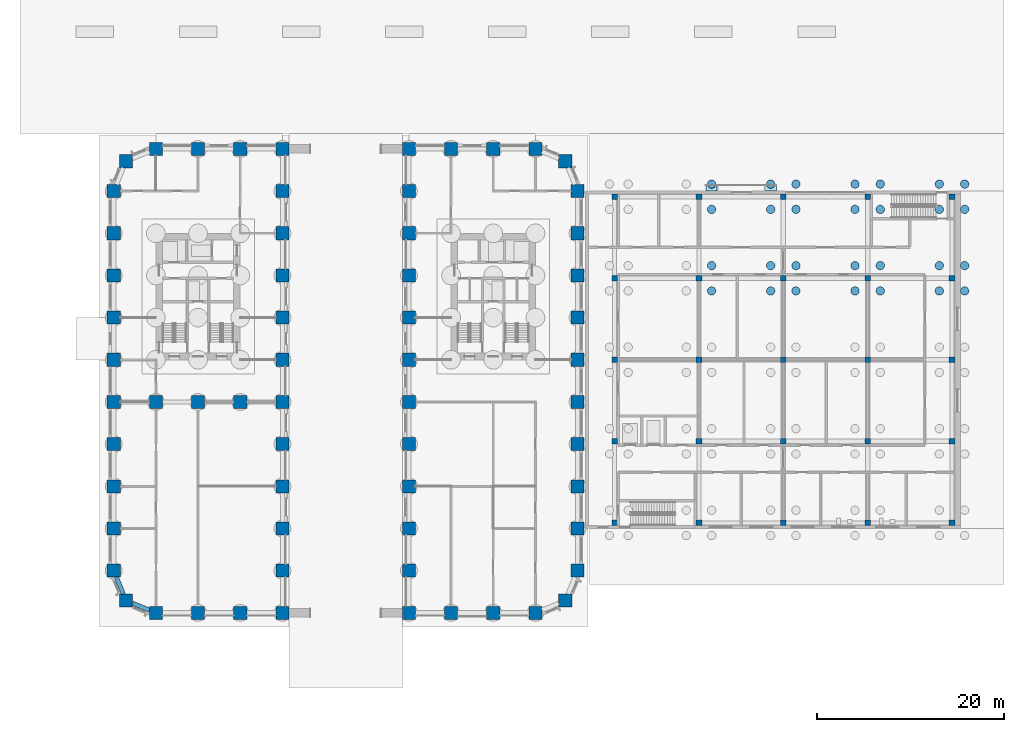
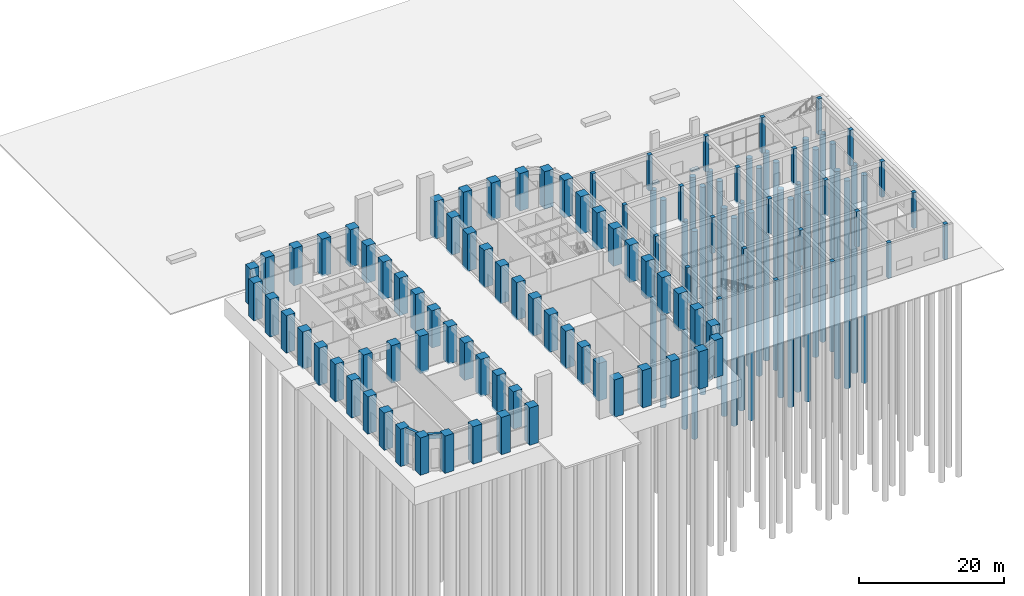
# One storey, part 2 of 31: 88 columns, 28 piles, 2 beams, 2 footings.
"""IFC4 building model written with IfcOpenShell, lengths in metres."""

import ifcopenshell
import ifcopenshell.guid

model = None  # the IFC model being written
_history = None  # IfcOwnerHistory: only IFC2X3 demands one
_inside = {}  # id of a spatial element -> (the spatial element, [elements in it])
_under = {}  # id of a project, library or spatial element -> (it, [spatial elements below it])
_declared = {}  # id of a project -> (the project, [libraries it declares])
_typed = {}  # id of a type object -> (the type object, [elements of that type])
_made_of = {}  # id of a material, layer set ... -> (it, [elements and type objects made of it])


def new_model(schema):
    """Start an empty IFC model of exactly this schema.

    Asked for "IFC4X3", IfcOpenShell would pick the latest addendum, in which some entities
    have other attributes; the version numbers below select the first issue.
    IFC2X3 requires an IfcOwnerHistory on every rooted entity: one is made here for all.
    """
    global model, _history
    if schema == "IFC4X3":
        model = ifcopenshell.file(schema_version=(4, 3, 0, 0))
    else:
        model = ifcopenshell.file(schema=schema)
    _inside.clear()
    _under.clear()
    _declared.clear()
    _typed.clear()
    _made_of.clear()
    _history = None
    if model.schema == "IFC2X3":
        org = make("IfcOrganization", Name="unknown")
        user = make(
            "IfcPersonAndOrganization",
            ThePerson=make("IfcPerson", FamilyName="unknown"),
            TheOrganization=org,
        )
        app = make(
            "IfcApplication",
            ApplicationDeveloper=org,
            Version="unknown",
            ApplicationFullName="unknown",
            ApplicationIdentifier="unknown",
        )
        _history = make(
            "IfcOwnerHistory",
            OwningUser=user,
            OwningApplication=app,
            ChangeAction="ADDED",
            CreationDate=0,
        )
    return model


def make(cls, **values):
    """One entity of the class cls with the attributes given. An attribute that is None is left unset."""
    return model.create_entity(
        cls, **{name: value for name, value in values.items() if value is not None}
    )


def rooted(cls, **values):
    """An entity with a GlobalId (a new one), such as an element, a storey or a relation."""
    return make(cls, GlobalId=ifcopenshell.guid.new(), OwnerHistory=_history, **values)


def si_unit(unit_type, name, prefix=None):
    """IfcSIUnit, for example si_unit("LENGTHUNIT", "METRE", prefix="MILLI")."""
    return make("IfcSIUnit", UnitType=unit_type, Prefix=prefix, Name=name)


def assignment(units):
    """IfcUnitAssignment: the units of a project."""
    return None if units is None else make("IfcUnitAssignment", Units=units)


def point(xyz):
    """IfcCartesianPoint."""
    return None if xyz is None else make("IfcCartesianPoint", Coordinates=xyz)


def direction(xyz):
    """IfcDirection."""
    return None if xyz is None else make("IfcDirection", DirectionRatios=xyz)


def frame(location, z_axis=None, x_axis=None):
    """IfcAxis2Placement3D, a coordinate frame: its origin and axes. An axis left out is left unset."""
    return make(
        "IfcAxis2Placement3D",
        Location=point(location),
        Axis=direction(z_axis),
        RefDirection=direction(x_axis),
    )


def frame_2d(location, x_axis=None):
    """IfcAxis2Placement2D, a coordinate frame in the plane: its origin and x axis."""
    return make(
        "IfcAxis2Placement2D", Location=point(location), RefDirection=direction(x_axis)
    )


def origin():
    """The frame at (0, 0, 0) with its axes left unset."""
    return frame((0.0, 0.0, 0.0))


def origin_2d():
    """The frame at (0, 0) in the plane with its x axis left unset."""
    return frame_2d((0.0, 0.0))


def place(relative_to, where):
    """IfcLocalPlacement: puts the frame where relative to a parent placement (None: the world)."""
    return make(
        "IfcLocalPlacement", PlacementRelTo=relative_to, RelativePlacement=where
    )


def context(
    kind, dimensions, precision=None, world=None, true_north=None, identifier=None
):
    """IfcGeometricRepresentationContext, for example the 3D "Model" context."""
    return make(
        "IfcGeometricRepresentationContext",
        ContextIdentifier=identifier,
        ContextType=kind,
        CoordinateSpaceDimension=dimensions,
        Precision=precision,
        WorldCoordinateSystem=world,
        TrueNorth=true_north,
    )


def subcontext(parent, identifier, kind, view, scale=None):
    """IfcGeometricRepresentationSubContext, for example "Body" below "Model"."""
    return make(
        "IfcGeometricRepresentationSubContext",
        ContextIdentifier=identifier,
        ContextType=kind,
        ParentContext=parent,
        TargetScale=scale,
        TargetView=view,
    )


def project(units=None, contexts=None):
    """IfcProject with its units and contexts."""
    return rooted(
        "IfcProject",
        Name="project",
        RepresentationContexts=contexts,
        UnitsInContext=assignment(units),
    )


def spatial(cls, under=None, at=None, **own):
    """A site, building, storey or space (cls), placed at a placement, below another one or the project."""
    s = rooted(cls, ObjectPlacement=at, **own)
    if under is not None:
        _under.setdefault(under.id(), (under, []))[1].append(s)
    return s


def polyline(points):
    """IfcPolyline through the points."""
    return make("IfcPolyline", Points=[point(p) for p in points])


def profile(cls, at=None, kind="AREA", **sizes):
    """A parametric profile (cls). Its sizes go by their IFC names, for example OverallWidth=200.0."""
    return make(cls, ProfileType=kind, Position=at, **sizes)


def rectangle(**sizes):
    """IfcRectangleProfileDef."""
    return profile("IfcRectangleProfileDef", **sizes)


def circle(**sizes):
    """IfcCircleProfileDef."""
    return profile("IfcCircleProfileDef", **sizes)


def outline(outer, holes=None, kind="AREA"):
    """IfcArbitraryClosedProfileDef: a profile drawn as a closed curve; with holes, ...WithVoids."""
    if holes is None:
        return make("IfcArbitraryClosedProfileDef", ProfileType=kind, OuterCurve=outer)
    return make(
        "IfcArbitraryProfileDefWithVoids",
        ProfileType=kind,
        OuterCurve=outer,
        InnerCurves=holes,
    )


def extrude(swept, where, along, depth):
    """IfcExtrudedAreaSolid: the profile swept, set in the frame where, extruded along a direction by depth."""
    return make(
        "IfcExtrudedAreaSolid",
        SweptArea=swept,
        Position=where,
        ExtrudedDirection=direction(along),
        Depth=depth,
    )


def shape(context_of_items, identifier, shape_type, items):
    """IfcShapeRepresentation: the items that make up one representation, for example the "Body"."""
    return make(
        "IfcShapeRepresentation",
        ContextOfItems=context_of_items,
        RepresentationIdentifier=identifier,
        RepresentationType=shape_type,
        Items=items,
    )


def material(Name=None, Category=None):
    """IfcMaterial."""
    return make("IfcMaterial", Name=Name, Category=Category)


def layer(
    of_material, thickness, ventilated=None, Name=None, Category=None, Priority=None
):
    """IfcMaterialLayer: one layer of a wall or slab, of a material (None: an air gap)."""
    return make(
        "IfcMaterialLayer",
        Material=of_material,
        LayerThickness=thickness,
        IsVentilated=ventilated,
        Name=Name,
        Category=Category,
        Priority=Priority,
    )


def layer_set(layers, Name=None):
    """IfcMaterialLayerSet."""
    return make("IfcMaterialLayerSet", MaterialLayers=layers, LayerSetName=Name)


def material_profile(
    of_material, cross_section, Name=None, Category=None, Priority=None
):
    """IfcMaterialProfile: a cross section and its material."""
    return make(
        "IfcMaterialProfile",
        Name=Name,
        Material=of_material,
        Profile=cross_section,
        Priority=Priority,
        Category=Category,
    )


def profile_set(profiles, Name=None, composite=None):
    """IfcMaterialProfileSet."""
    return make(
        "IfcMaterialProfileSet",
        Name=Name,
        MaterialProfiles=profiles,
        CompositeProfile=composite,
    )


def made_of(thing, what):
    """Note that an element or type object is made of a material, layer set ...; save() writes the relation."""
    if what is not None:
        _made_of.setdefault(what.id(), (what, []))[1].append(thing)
    return thing


def type_object(cls, material=None, **own):
    """A type object (cls), such as IfcWallType, which elements share."""
    return made_of(rooted(cls, **own), material)


def element(
    cls,
    number,
    at=None,
    inside=None,
    cuts=None,
    type_object=None,
    material=None,
    context=None,
    identifier="Body",
    shape_type=None,
    held_by="IfcProductDefinitionShape",
    body=None,
    shapes=None,
    **own,
):
    """One element of the class cls, such as IfcWall. Its Tag is "e" and its number.

    at: its placement. inside: the storey or other place that contains it. cuts: it is an
    opening in that element (IfcRelVoidsElement). A single representation is given by context,
    identifier, shape_type and body (its items); several are given by shapes. held_by: the class
    of the entity that holds the representations. save() writes the other relations.
    """
    e = rooted(cls, Tag="e%d" % number, ObjectPlacement=at, **own)
    if body is not None:
        shapes = [shape(context, identifier, shape_type, body)]
    if shapes is not None:
        e.Representation = make(held_by, Representations=shapes)
    if inside is not None:
        _inside.setdefault(inside.id(), (inside, []))[1].append(e)
    if cuts is not None:
        rooted(
            "IfcRelVoidsElement", RelatingBuildingElement=cuts, RelatedOpeningElement=e
        )
    if type_object is not None:
        _typed.setdefault(type_object.id(), (type_object, []))[1].append(e)
    return made_of(e, material)


def aggregate(whole, parts):
    """IfcRelAggregates: a whole, such as a stair, and the parts it consists of."""
    return rooted("IfcRelAggregates", RelatingObject=whole, RelatedObjects=parts)


def save(model, path):
    """Write the relations noted so far, then the file.

    IfcRelAggregates (storeys below a building ...), IfcRelContainedInSpatialStructure (elements
    in a storey), IfcRelDefinesByType, IfcRelAssociatesMaterial and IfcRelDeclares: one each for
    every whole, place, type object, material and project.
    """
    for whole, parts in _under.values():
        aggregate(whole, parts)
    for where, things in _inside.values():
        rooted(
            "IfcRelContainedInSpatialStructure",
            RelatedElements=things,
            RelatingStructure=where,
        )
    for kind, things in _typed.values():
        rooted("IfcRelDefinesByType", RelatedObjects=things, RelatingType=kind)
    for what, things in _made_of.values():
        rooted("IfcRelAssociatesMaterial", RelatedObjects=things, RelatingMaterial=what)
    for by, libraries in _declared.values():
        rooted("IfcRelDeclares", RelatingContext=by, RelatedDefinitions=libraries)
    model.write(path)


model = new_model("IFC4")

# Units and contexts
model_context = context("Model", 3, precision=1e-05, world=origin(), true_north=direction((0.0, 1.0)))
body_context = subcontext(model_context, "Body", "Model", "MODEL_VIEW")
ifc_project = project(units=[si_unit("LENGTHUNIT", "METRE"), si_unit("AREAUNIT", "SQUARE_METRE"), si_unit("VOLUMEUNIT", "CUBIC_METRE"), si_unit("PLANEANGLEUNIT", "RADIAN"), si_unit("MASSUNIT", "GRAM", prefix="KILO")], contexts=[model_context])

# Site, building, storey
site_placement = place(None, origin())
site = spatial("IfcSite", under=ifc_project, at=site_placement, CompositionType="ELEMENT")
building_placement = place(site_placement, origin())
building = spatial("IfcBuilding", under=site, at=building_placement, Name="Girih Gate Residences", CompositionType="ELEMENT")
storey_placement = place(building_placement, origin())
storey = spatial("IfcBuildingStorey", under=building, at=storey_placement, Name="L00", CompositionType="ELEMENT", Elevation=0.0)

# Piles
ifc_material_1 = material(Name="Concrete C40/50", Category="concrete")
ifc_material_profile_1 = material_profile(ifc_material_1, circle(Radius=0.449951171875, at=origin_2d()))
ifc_profile_set_1 = profile_set([ifc_material_profile_1], Name="Concrete C40/50")
pile_type = type_object("IfcPileType", Name="HC Bored pile D900 C40/50", PredefinedType="BORED", material=ifc_profile_set_1)
for number, where, z_axis, x_axis, name in (
    (1, (63.800048828125, 34.35009765625, -1.5), (0.0, 0.0, -1.0), (1.0, 0.0, 0.0), "Health centre pile H2/HD 35"),
    (2, (63.800048828125, 37.050048828125, -1.5), (0.0, 0.0, -1.0), (1.0, 0.0, 0.0), "Health centre pile H2/HD 36"),
    (3, (63.800048828125, 43.050048828125, -1.5), (0.0, 0.0, -1.0), (1.0, 0.0, 0.0), "Health centre pile H2/HE 39"),
    (4, (63.800048828125, 45.75, -1.5), (0.0, 0.0, -1.0), (1.0, 0.0, 0.0), "Health centre pile H2/HE 40"),
    (5, (70.10009765625, 34.35009765625, -1.5), (0.0, 0.0, -1.0), (1.0, 0.0, 0.0), "Health centre pile H3/HD 53"),
    (6, (70.10009765625, 37.050048828125, -1.5), (0.0, 0.0, -1.0), (1.0, 0.0, 0.0), "Health centre pile H3/HD 54"),
    (7, (72.800048828125, 34.35009765625, -1.5), (0.0, 0.0, -1.0), (1.0, 0.0, 0.0), "Health centre pile H3/HD 55"),
    (8, (72.800048828125, 37.050048828125, -1.5), (0.0, 0.0, -1.0), (1.0, 0.0, 0.0), "Health centre pile H3/HD 56"),
    (9, (70.10009765625, 43.050048828125, -1.5), (0.0, 0.0, -1.0), (1.0, 0.0, 0.0), "Health centre pile H3/HE 57"),
    (10, (70.10009765625, 45.75, -1.5), (0.0, 0.0, -1.0), (1.0, 0.0, 0.0), "Health centre pile H3/HE 58"),
    (11, (72.800048828125, 43.050048828125, -1.5), (0.0, 0.0, -1.0), (1.0, 0.0, 0.0), "Health centre pile H3/HE 59"),
    (12, (72.800048828125, 45.75, -1.5), (0.0, 0.0, -1.0), (1.0, 0.0, 0.0), "Health centre pile H3/HE 60"),
    (13, (79.10009765625, 34.35009765625, -1.5), (0.0, 0.0, -1.0), (1.0, 0.0, 0.0), "Health centre pile H4/HD 73"),
    (14, (79.10009765625, 37.050048828125, -1.5), (0.0, 0.0, -1.0), (1.0, 0.0, 0.0), "Health centre pile H4/HD 74"),
    (15, (81.800048828125, 34.35009765625, -1.5), (0.0, 0.0, -1.0), (1.0, 0.0, 0.0), "Health centre pile H4/HD 75"),
    (16, (81.800048828125, 37.050048828125, -1.5), (0.0, 0.0, -1.0), (1.0, 0.0, 0.0), "Health centre pile H4/HD 76"),
    (17, (79.10009765625, 43.050048828125, -1.5), (0.0, 0.0, -1.0), (1.0, 0.0, 0.0), "Health centre pile H4/HE 77"),
    (18, (79.10009765625, 45.75, -1.5), (0.0, 0.0, -1.0), (1.0, 0.0, 0.0), "Health centre pile H4/HE 78"),
    (19, (81.800048828125, 43.050048828125, -1.5), (0.0, 0.0, -1.0), (1.0, 0.0, 0.0), "Health centre pile H4/HE 79"),
    (20, (81.800048828125, 45.75, -1.5), (0.0, 0.0, -1.0), (1.0, 0.0, 0.0), "Health centre pile H4/HE 80"),
    (21, (88.10009765625, 34.35009765625, -1.5), (0.0, 0.0, -1.0), (1.0, 0.0, 0.0), "Health centre pile H5/HD 93"),
    (22, (88.10009765625, 37.050048828125, -1.5), (0.0, 0.0, -1.0), (1.0, 0.0, 0.0), "Health centre pile H5/HD 94"),
    (23, (90.800048828125, 34.35009765625, -1.5), (0.0, 0.0, -1.0), (1.0, 0.0, 0.0), "Health centre pile H5/HD 95"),
    (24, (90.800048828125, 37.050048828125, -1.5), (0.0, 0.0, -1.0), (1.0, 0.0, 0.0), "Health centre pile H5/HD 96"),
    (25, (88.10009765625, 43.050048828125, -1.5), (0.0, 0.0, -1.0), (1.0, 0.0, 0.0), "Health centre pile H5/HE 97"),
    (26, (88.10009765625, 45.75, -1.5), (0.0, 0.0, -1.0), (1.0, 0.0, 0.0), "Health centre pile H5/HE 98"),
    (27, (90.800048828125, 43.050048828125, -1.5), (0.0, 0.0, -1.0), (1.0, 0.0, 0.0), "Health centre pile H5/HE 99"),
    (28, (90.800048828125, 45.75, -1.5), (0.0, 0.0, -1.0), (1.0, 0.0, 0.0), "Health centre pile H5/HE 100"),
):
    element("IfcPile", number, at=place(storey_placement, frame(where, z_axis=z_axis, x_axis=x_axis)), inside=storey, type_object=pile_type, Name=name, PredefinedType="BORED", context=body_context, shape_type="SweptSolid", body=[
        extrude(circle(Radius=0.449951171875, at=origin_2d()), origin(), (0.0, 0.0, 1.0), 35.0),
    ])

# Footings
ifc_material_2 = material(Name="Concrete C35/45", Category="concrete")
ifc_layer = layer(ifc_material_2, 0.300048828125)
ifc_layer_set = layer_set([ifc_layer], Name="Wall footing RC 300 Concrete C35/45 WF4")
footing_type = type_object("IfcFootingType", Name="Wall footing RC 300 Concrete C35/45 WF4", PredefinedType="STRIP_FOOTING", material=ifc_layer_set)
footing_1_placement = place(storey_placement, frame((0.0, 0.0, -0.300048828125)))
element("IfcFooting", 29, at=footing_1_placement, inside=storey, type_object=footing_type, Name="Entrance portal west jamb footing", PredefinedType="STRIP_FOOTING", context=body_context, shape_type="SweptSolid", body=[
    extrude(outline(polyline([(63.199951171875, 45.0), (64.39990234375, 45.0), (64.39990234375, 45.60009765625), (63.199951171875, 45.60009765625), (63.199951171875, 45.0)])), origin(), (0.0, 0.0, 1.0), 0.300048828125),
])
footing_2_placement = place(storey_placement, frame((0.0, 0.0, -0.300048828125)))
element("IfcFooting", 30, at=footing_2_placement, inside=storey, type_object=footing_type, Name="Entrance portal east jamb footing", PredefinedType="STRIP_FOOTING", context=body_context, shape_type="SweptSolid", body=[
    extrude(outline(polyline([(69.5, 45.0), (70.699951171875, 45.0), (70.699951171875, 45.60009765625), (69.5, 45.60009765625), (69.5, 45.0)])), origin(), (0.0, 0.0, 1.0), 0.300048828125),
])

# Columns
ifc_material_3 = material(Name="Concrete C50/60", Category="concrete")
ifc_material_profile_2 = material_profile(ifc_material_3, rectangle(XDim=0.60009765625, YDim=0.60009765625, at=origin_2d()))
ifc_profile_set_2 = profile_set([ifc_material_profile_2], Name="Concrete C50/60")
column_type_1 = type_object("IfcColumnType", Name="HC Column 600x600 C50/60", PredefinedType="COLUMN", material=ifc_profile_set_2)
for number, where, z_axis, x_axis, name in (
    (31, (53.449951171875, 9.60009765625, -0.300048828125), (0.0, 0.0, 1.0), (1.0, 0.0, 0.0), "L00 column H1/HA"),
    (32, (53.449951171875, 18.300048828125, -0.300048828125), (0.0, 0.0, 1.0), (1.0, 0.0, 0.0), "L00 column H1/HB"),
    (33, (53.449951171875, 27.0, -0.300048828125), (0.0, 0.0, 1.0), (1.0, 0.0, 0.0), "L00 column H1/HC"),
    (34, (53.449951171875, 35.699951171875, -0.300048828125), (0.0, 0.0, 1.0), (1.0, 0.0, 0.0), "L00 column H1/HD"),
    (35, (53.449951171875, 44.39990234375, -0.300048828125), (0.0, 0.0, 1.0), (1.0, 0.0, 0.0), "L00 column H1/HE"),
    (36, (62.449951171875, 9.60009765625, -0.300048828125), (0.0, 0.0, 1.0), (1.0, 0.0, 0.0), "L00 column H2/HA"),
    (37, (62.449951171875, 18.300048828125, -0.300048828125), (0.0, 0.0, 1.0), (1.0, 0.0, 0.0), "L00 column H2/HB"),
    (38, (62.449951171875, 27.0, -0.300048828125), (0.0, 0.0, 1.0), (1.0, 0.0, 0.0), "L00 column H2/HC"),
    (39, (62.449951171875, 35.699951171875, -0.300048828125), (0.0, 0.0, 1.0), (1.0, 0.0, 0.0), "L00 column H2/HD"),
    (40, (62.449951171875, 44.39990234375, -0.300048828125), (0.0, 0.0, 1.0), (1.0, 0.0, 0.0), "L00 column H2/HE"),
    (41, (71.449951171875, 9.60009765625, -0.300048828125), (0.0, 0.0, 1.0), (1.0, 0.0, 0.0), "L00 column H3/HA"),
    (42, (71.449951171875, 18.300048828125, -0.300048828125), (0.0, 0.0, 1.0), (1.0, 0.0, 0.0), "L00 column H3/HB"),
    (43, (71.449951171875, 27.0, -0.300048828125), (0.0, 0.0, 1.0), (1.0, 0.0, 0.0), "L00 column H3/HC"),
    (44, (71.449951171875, 35.699951171875, -0.300048828125), (0.0, 0.0, 1.0), (1.0, 0.0, 0.0), "L00 column H3/HD"),
    (45, (71.449951171875, 44.39990234375, -0.300048828125), (0.0, 0.0, 1.0), (1.0, 0.0, 0.0), "L00 column H3/HE"),
    (46, (80.449951171875, 9.60009765625, -0.300048828125), (0.0, 0.0, 1.0), (1.0, 0.0, 0.0), "L00 column H4/HA"),
    (47, (80.449951171875, 18.300048828125, -0.300048828125), (0.0, 0.0, 1.0), (1.0, 0.0, 0.0), "L00 column H4/HB"),
    (48, (80.449951171875, 27.0, -0.300048828125), (0.0, 0.0, 1.0), (1.0, 0.0, 0.0), "L00 column H4/HC"),
    (49, (80.449951171875, 35.699951171875, -0.300048828125), (0.0, 0.0, 1.0), (1.0, 0.0, 0.0), "L00 column H4/HD"),
    (50, (80.449951171875, 44.39990234375, -0.300048828125), (0.0, 0.0, 1.0), (1.0, 0.0, 0.0), "L00 column H4/HE"),
    (51, (89.449951171875, 9.60009765625, -0.300048828125), (0.0, 0.0, 1.0), (1.0, 0.0, 0.0), "L00 column H5/HA"),
    (52, (89.449951171875, 18.300048828125, -0.300048828125), (0.0, 0.0, 1.0), (1.0, 0.0, 0.0), "L00 column H5/HB"),
    (53, (89.449951171875, 27.0, -0.300048828125), (0.0, 0.0, 1.0), (1.0, 0.0, 0.0), "L00 column H5/HC"),
    (54, (89.449951171875, 35.699951171875, -0.300048828125), (0.0, 0.0, 1.0), (1.0, 0.0, 0.0), "L00 column H5/HD"),
    (55, (89.449951171875, 44.39990234375, -0.300048828125), (0.0, 0.0, 1.0), (1.0, 0.0, 0.0), "L00 column H5/HE"),
):
    element("IfcColumn", number, at=place(storey_placement, frame(where, z_axis=z_axis, x_axis=x_axis)), inside=storey, type_object=column_type_1, Name=name, PredefinedType="COLUMN", context=body_context, shape_type="SweptSolid", body=[
        extrude(rectangle(XDim=0.60009765625, YDim=0.60009765625, at=origin_2d()), origin(), (0.0, 0.0, 1.0), 6.0),
    ])
ifc_material_4 = material(Name="Concrete C80/95", Category="concrete")
ifc_material_profile_3 = material_profile(ifc_material_4, rectangle(XDim=1.39990234375, YDim=1.39990234375, at=origin_2d()))
ifc_profile_set_3 = profile_set([ifc_material_profile_3], Name="Concrete C80/95")
column_type_2 = type_object("IfcColumnType", Name="Pier RC 1400x1400 Concrete C80/95", PredefinedType="COLUMN", material=ifc_profile_set_3)
for number, where, z_axis, x_axis, name in (
    (56, (4.5, 0.0, -0.300048828125), (0.0, 0.0, 1.0), (1.0, 0.0, 0.0), "Pier P2A L00"),
    (57, (9.0, 0.0, -0.300048828125), (0.0, 0.0, 1.0), (1.0, 0.0, 0.0), "Pier P3A L00"),
    (58, (13.5, 0.0, -0.300048828125), (0.0, 0.0, 1.0), (1.0, 0.0, 0.0), "Pier P4A L00"),
    (59, (18.0, 0.0, -0.300048828125), (0.0, 0.0, 1.0), (1.0, 0.0, 0.0), "Pier P5A L00"),
    (60, (31.5, 0.0, -0.300048828125), (0.0, 0.0, 1.0), (1.0, 0.0, 0.0), "Pier P8A L00"),
    (61, (36.0, 0.0, -0.300048828125), (0.0, 0.0, 1.0), (1.0, 0.0, 0.0), "Pier P9A L00"),
    (62, (40.5, 0.0, -0.300048828125), (0.0, 0.0, 1.0), (1.0, 0.0, 0.0), "Pier P10A L00"),
    (63, (45.0, 0.0, -0.300048828125), (0.0, 0.0, 1.0), (1.0, 0.0, 0.0), "Pier P11A L00"),
    (64, (1.318115234375, 1.318115234375, -0.300048828125), (0.0, 0.0, 1.0), (1.0, 0.0, 0.0), "Pier P1ANE L00"),
    (65, (48.181884765625, 1.318115234375, -0.300048828125), (0.0, 0.0, 1.0), (1.0, 0.0, 0.0), "Pier P12ANW L00"),
    (66, (0.0, 4.5, -0.300048828125), (0.0, 0.0, 1.0), (1.0, 0.0, 0.0), "Pier P1B L00"),
    (67, (18.0, 4.5, -0.300048828125), (0.0, 0.0, 1.0), (1.0, 0.0, 0.0), "Pier P5B L00"),
    (68, (31.5, 4.5, -0.300048828125), (0.0, 0.0, 1.0), (1.0, 0.0, 0.0), "Pier P8B L00"),
    (69, (49.5, 4.5, -0.300048828125), (0.0, 0.0, 1.0), (1.0, 0.0, 0.0), "Pier P12B L00"),
    (70, (0.0, 9.0, -0.300048828125), (0.0, 0.0, 1.0), (1.0, 0.0, 0.0), "Pier P1C L00"),
    (71, (18.0, 9.0, -0.300048828125), (0.0, 0.0, 1.0), (1.0, 0.0, 0.0), "Pier P5C L00"),
    (72, (31.5, 9.0, -0.300048828125), (0.0, 0.0, 1.0), (1.0, 0.0, 0.0), "Pier P8C L00"),
    (73, (49.5, 9.0, -0.300048828125), (0.0, 0.0, 1.0), (1.0, 0.0, 0.0), "Pier P12C L00"),
    (74, (0.0, 13.5, -0.300048828125), (0.0, 0.0, 1.0), (1.0, 0.0, 0.0), "Pier P1D L00"),
    (75, (18.0, 13.5, -0.300048828125), (0.0, 0.0, 1.0), (1.0, 0.0, 0.0), "Pier P5D L00"),
    (76, (31.5, 13.5, -0.300048828125), (0.0, 0.0, 1.0), (1.0, 0.0, 0.0), "Pier P8D L00"),
    (77, (49.5, 13.5, -0.300048828125), (0.0, 0.0, 1.0), (1.0, 0.0, 0.0), "Pier P12D L00"),
    (78, (0.0, 18.0, -0.300048828125), (0.0, 0.0, 1.0), (1.0, 0.0, 0.0), "Pier P1E L00"),
    (79, (18.0, 18.0, -0.300048828125), (0.0, 0.0, 1.0), (1.0, 0.0, 0.0), "Pier P5E L00"),
    (80, (31.5, 18.0, -0.300048828125), (0.0, 0.0, 1.0), (1.0, 0.0, 0.0), "Pier P8E L00"),
    (81, (49.5, 18.0, -0.300048828125), (0.0, 0.0, 1.0), (1.0, 0.0, 0.0), "Pier P12E L00"),
    (82, (0.0, 22.5, -0.300048828125), (0.0, 0.0, 1.0), (1.0, 0.0, 0.0), "Pier P1F L00"),
    (83, (4.5, 22.5, -0.300048828125), (0.0, 0.0, 1.0), (1.0, 0.0, 0.0), "Pier P2F L00"),
    (84, (9.0, 22.5, -0.300048828125), (0.0, 0.0, 1.0), (1.0, 0.0, 0.0), "Pier P3F L00"),
    (85, (13.5, 22.5, -0.300048828125), (0.0, 0.0, 1.0), (1.0, 0.0, 0.0), "Pier P4F L00"),
    (86, (18.0, 22.5, -0.300048828125), (0.0, 0.0, 1.0), (1.0, 0.0, 0.0), "Pier P5F L00"),
    (87, (31.5, 22.5, -0.300048828125), (0.0, 0.0, 1.0), (1.0, 0.0, 0.0), "Pier P8F L00"),
    (88, (49.5, 22.5, -0.300048828125), (0.0, 0.0, 1.0), (1.0, 0.0, 0.0), "Pier P12F L00"),
    (89, (0.0, 27.0, -0.300048828125), (0.0, 0.0, 1.0), (1.0, 0.0, 0.0), "Pier P1G L00"),
    (90, (18.0, 27.0, -0.300048828125), (0.0, 0.0, 1.0), (1.0, 0.0, 0.0), "Pier P5G L00"),
    (91, (31.5, 27.0, -0.300048828125), (0.0, 0.0, 1.0), (1.0, 0.0, 0.0), "Pier P8G L00"),
    (92, (49.5, 27.0, -0.300048828125), (0.0, 0.0, 1.0), (1.0, 0.0, 0.0), "Pier P12G L00"),
    (93, (0.0, 31.5, -0.300048828125), (0.0, 0.0, 1.0), (1.0, 0.0, 0.0), "Pier P1H L00"),
    (94, (18.0, 31.5, -0.300048828125), (0.0, 0.0, 1.0), (1.0, 0.0, 0.0), "Pier P5H L00"),
    (95, (31.5, 31.5, -0.300048828125), (0.0, 0.0, 1.0), (1.0, 0.0, 0.0), "Pier P8H L00"),
    (96, (49.5, 31.5, -0.300048828125), (0.0, 0.0, 1.0), (1.0, 0.0, 0.0), "Pier P12H L00"),
    (97, (0.0, 36.0, -0.300048828125), (0.0, 0.0, 1.0), (1.0, 0.0, 0.0), "Pier P1I L00"),
    (98, (18.0, 36.0, -0.300048828125), (0.0, 0.0, 1.0), (1.0, 0.0, 0.0), "Pier P5I L00"),
    (99, (31.5, 36.0, -0.300048828125), (0.0, 0.0, 1.0), (1.0, 0.0, 0.0), "Pier P8I L00"),
    (100, (49.5, 36.0, -0.300048828125), (0.0, 0.0, 1.0), (1.0, 0.0, 0.0), "Pier P12I L00"),
    (101, (0.0, 40.5, -0.300048828125), (0.0, 0.0, 1.0), (1.0, 0.0, 0.0), "Pier P1J L00"),
    (102, (18.0, 40.5, -0.300048828125), (0.0, 0.0, 1.0), (1.0, 0.0, 0.0), "Pier P5J L00"),
    (103, (31.5, 40.5, -0.300048828125), (0.0, 0.0, 1.0), (1.0, 0.0, 0.0), "Pier P8J L00"),
    (104, (49.5, 40.5, -0.300048828125), (0.0, 0.0, 1.0), (1.0, 0.0, 0.0), "Pier P12J L00"),
    (105, (0.0, 45.0, -0.300048828125), (0.0, 0.0, 1.0), (1.0, 0.0, 0.0), "Pier P1K L00"),
    (106, (18.0, 45.0, -0.300048828125), (0.0, 0.0, 1.0), (1.0, 0.0, 0.0), "Pier P5K L00"),
    (107, (31.5, 45.0, -0.300048828125), (0.0, 0.0, 1.0), (1.0, 0.0, 0.0), "Pier P8K L00"),
    (108, (49.5, 45.0, -0.300048828125), (0.0, 0.0, 1.0), (1.0, 0.0, 0.0), "Pier P12K L00"),
    (109, (1.318115234375, 48.181884765625, -0.300048828125), (0.0, 0.0, 1.0), (1.0, 0.0, 0.0), "Pier P1LSE L00"),
    (110, (48.181884765625, 48.181884765625, -0.300048828125), (0.0, 0.0, 1.0), (1.0, 0.0, 0.0), "Pier P12LSW L00"),
    (111, (4.5, 49.5, -0.300048828125), (0.0, 0.0, 1.0), (1.0, 0.0, 0.0), "Pier P2L L00"),
    (112, (9.0, 49.5, -0.300048828125), (0.0, 0.0, 1.0), (1.0, 0.0, 0.0), "Pier P3L L00"),
    (113, (13.5, 49.5, -0.300048828125), (0.0, 0.0, 1.0), (1.0, 0.0, 0.0), "Pier P4L L00"),
    (114, (18.0, 49.5, -0.300048828125), (0.0, 0.0, 1.0), (1.0, 0.0, 0.0), "Pier P5L L00"),
    (115, (31.5, 49.5, -0.300048828125), (0.0, 0.0, 1.0), (1.0, 0.0, 0.0), "Pier P8L L00"),
    (116, (36.0, 49.5, -0.300048828125), (0.0, 0.0, 1.0), (1.0, 0.0, 0.0), "Pier P9L L00"),
    (117, (40.5, 49.5, -0.300048828125), (0.0, 0.0, 1.0), (1.0, 0.0, 0.0), "Pier P10L L00"),
    (118, (45.0, 49.5, -0.300048828125), (0.0, 0.0, 1.0), (1.0, 0.0, 0.0), "Pier P11L L00"),
):
    element("IfcColumn", number, at=place(storey_placement, frame(where, z_axis=z_axis, x_axis=x_axis)), inside=storey, type_object=column_type_2, Name=name, PredefinedType="COLUMN", context=body_context, shape_type="SweptSolid", body=[
        extrude(rectangle(XDim=1.39990234375, YDim=1.39990234375, at=origin_2d()), origin(), (0.0, 0.0, 1.0), 6.300048828125),
    ])

# Beams
ifc_material_5 = material(Name="Concrete C60/75", Category="concrete")
ifc_material_profile_4 = material_profile(ifc_material_5, rectangle(XDim=0.449951171875, YDim=0.800048828125, at=origin_2d()))
ifc_profile_set_4 = profile_set([ifc_material_profile_4], Name="Concrete C60/75")
beam_type = type_object("IfcBeamType", Name="Spandrel girder RC 450x800 Concrete C60/75", PredefinedType="BEAM", material=ifc_profile_set_4)
for number, where, z_axis, x_axis, name in (
    (119, (0.2900390625, 3.800048828125, 5.60009765625), (0.382646180293, -0.923894961945, 0.0), (0.923894961945, 0.382646180293, 0.0), "Spandrel girder SP-P1B-P1ANE L00"),
    (120, (2.01806640625, 1.028076171875, 5.60009765625), (0.923894961945, -0.382646180293, 0.0), (0.382646180293, 0.923894961945, 0.0), "Spandrel girder SP-P1ANE-P2A L00"),
):
    element("IfcBeam", number, at=place(storey_placement, frame(where, z_axis=z_axis, x_axis=x_axis)), inside=storey, type_object=beam_type, Name=name, PredefinedType="BEAM", context=body_context, shape_type="SweptSolid", body=[
        extrude(rectangle(XDim=0.449951171875, YDim=0.800048828125, at=origin_2d()), origin(), (0.0, 0.0, 1.0), 1.9287109375),
    ])

save(model, "model.ifc")
